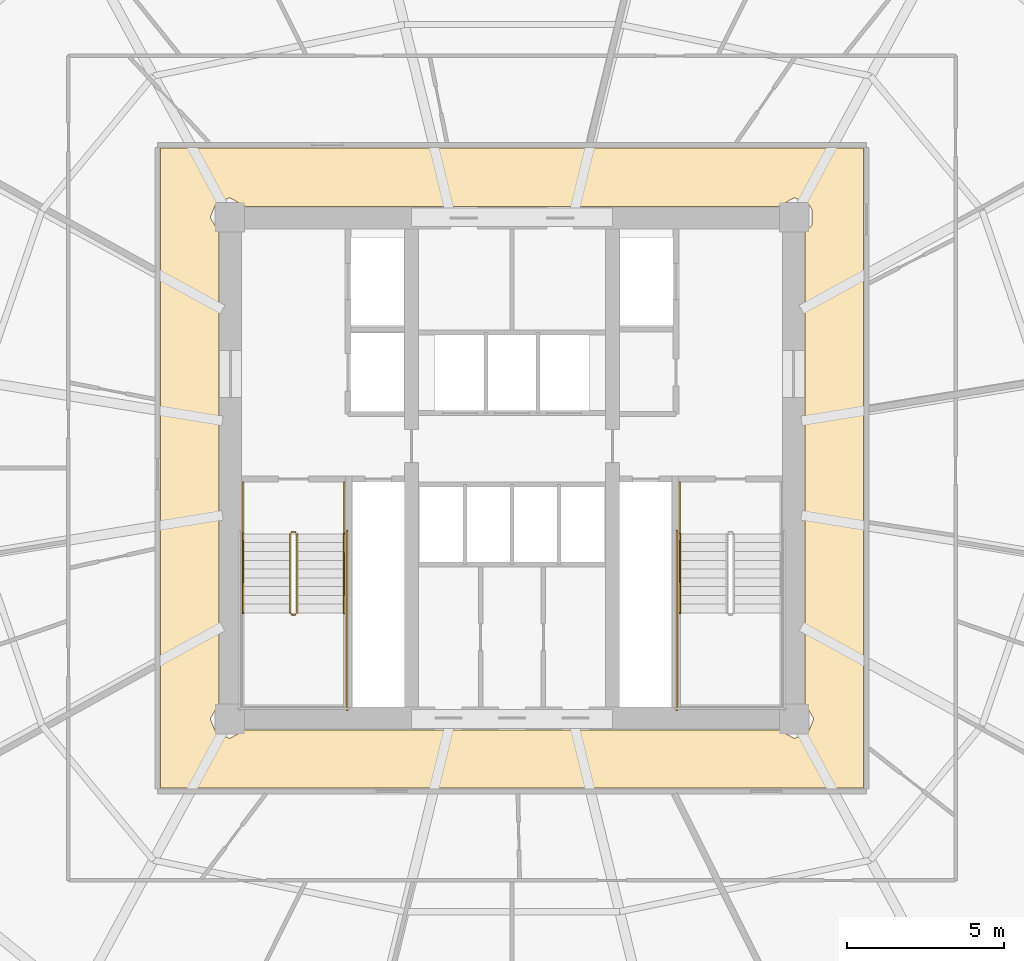
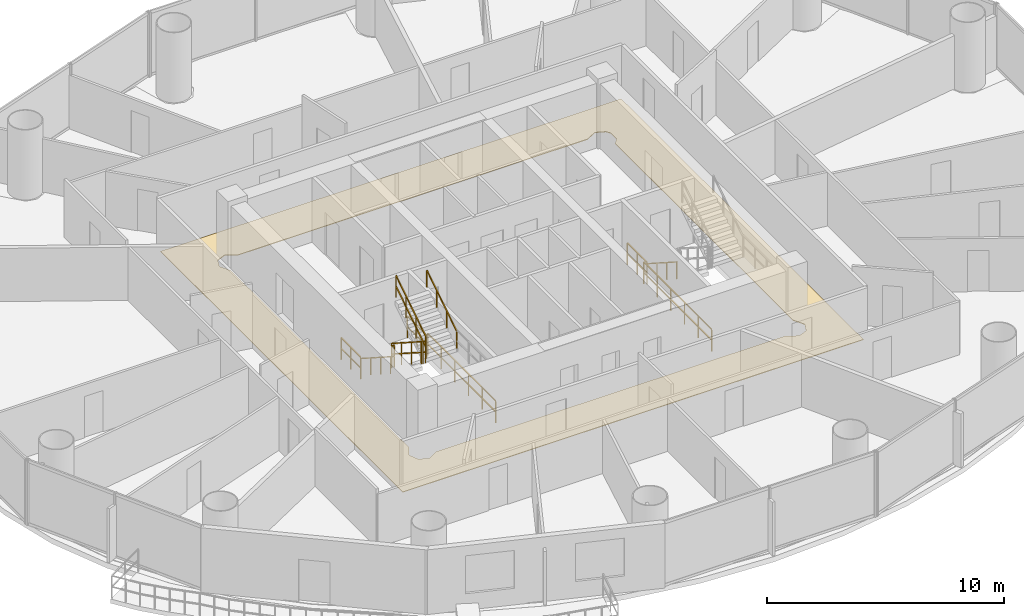
# One storey, part 26 of 28: 12 railings, 1 covering.
"""IFC4 building model written with IfcOpenShell, lengths in metres."""

from ifc_helpers import new_model, si_unit, direction, frame, origin, origin_2d, place, context, subcontext, project, spatial, polyline, rectangle, outline, extrude, material, layer, layer_set, type_object, element, save


model = new_model("IFC4")

# Units and contexts
model_context = context("Model", 3, precision=1e-05, world=origin(), true_north=direction((-0.2419218956, 0.970295726276)))
body_context = subcontext(model_context, "Body", "Model", "MODEL_VIEW")
ifc_project = project(units=[si_unit("LENGTHUNIT", "METRE"), si_unit("AREAUNIT", "SQUARE_METRE"), si_unit("VOLUMEUNIT", "CUBIC_METRE"), si_unit("PLANEANGLEUNIT", "RADIAN"), si_unit("MASSUNIT", "GRAM", prefix="KILO")], contexts=[model_context])

# Site, building, storey
site_placement = place(None, origin())
site = spatial("IfcSite", under=ifc_project, at=site_placement, CompositionType="ELEMENT")
building_placement = place(site_placement, origin())
building = spatial("IfcBuilding", under=site, at=building_placement, Name="Cobrevalo Terracotta Tower", CompositionType="ELEMENT")
storey_placement = place(building_placement, frame((0.0, 0.0, 105.0)))
storey = spatial("IfcBuildingStorey", under=building, at=storey_placement, Name="L27", CompositionType="ELEMENT", Elevation=105.0)

# Covering
ifc_material_1 = material(Name="Honed terracotta and granite tile", Category="masonry")
ifc_layer = layer(ifc_material_1, 0.034912109375)
ifc_layer_set = layer_set([ifc_layer], Name="Honed terracotta and granite tile")
covering_type = type_object("IfcCoveringType", Name="Honed Terracotta & Granite Interior Flooring 35", PredefinedType="FLOORING", material=ifc_layer_set)
covering_placement = place(storey_placement, origin())
element("IfcCovering", 1, at=covering_placement, inside=storey, type_object=covering_type, Name="L27 Residential Floor Corridor floor finish", PredefinedType="FLOORING", context=body_context, shape_type="SweptSolid", body=[
    extrude(outline(polyline([(49.205078125, 37.0048828125), (49.205078125, 16.594970703125), (26.794921875, 16.594970703125), (26.794921875, 37.0048828125), (49.205078125, 37.0048828125)]), holes=[polyline([(47.344970703125, 34.298828125), (47.5732421875, 34.5625), (47.5732421875, 35.037353515625), (47.438720703125, 35.23876953125), (47.0, 35.42041015625), (46.498779296875, 35.14501953125), (29.501220703125, 35.14501953125), (29.0, 35.42041015625), (28.561279296875, 35.23876953125), (28.379638671875, 34.800048828125), (28.655029296875, 34.298828125), (28.655029296875, 19.30126953125), (28.379638671875, 18.800048828125), (28.561279296875, 18.361328125), (29.0, 18.1796875), (29.501220703125, 18.455078125), (46.498779296875, 18.455078125), (47.0, 18.1796875), (47.438720703125, 18.361328125), (47.620361328125, 18.800048828125), (47.344970703125, 19.30126953125), (47.344970703125, 34.298828125)])]), origin(), (0.0, 0.0, 1.0), 0.030029296875),
])

# Railings
ifc_material_2 = material(Name="Brushed stainless steel", Category="steel")
railing_type_1 = type_object("IfcRailingType", Name="Stainless Steel Stair Handrail 900", PredefinedType="HANDRAIL", material=ifc_material_2)
railing_1_placement = place(storey_placement, frame((29.425048828125, 24.699951171875, 0.179931640625)))
element("IfcRailing", 2, at=railing_1_placement, inside=storey, type_object=railing_type_1, Name="L27 ST-1 stair handrail 1", PredefinedType="HANDRAIL", context=body_context, shape_type="SweptSolid", body=[
    extrude(rectangle(XDim=0.048095703125, YDim=0.048095703125, at=origin_2d()), frame((0.0, 0.0, 0.8759765625), z_axis=(0.0, -0.841162588446, 0.540782303519), x_axis=(1.0, 0.0, 0.0)), (0.0, 0.0, 1.0), 2.995849609375),
    extrude(rectangle(XDim=0.0419921875, YDim=0.0419921875, at=origin_2d()), origin(), (0.0, 0.0, 1.0), 0.851806640625),
    extrude(rectangle(XDim=0.0419921875, YDim=0.0419921875, at=origin_2d()), frame((0.0, -0.840087890625, 0.5400390625)), (0.0, 0.0, 1.0), 0.851806640625),
    extrude(rectangle(XDim=0.0419921875, YDim=0.0419921875, at=origin_2d()), frame((0.0, -1.679931640625, 1.080078125)), (0.0, 0.0, 1.0), 0.851806640625),
    extrude(rectangle(XDim=0.0419921875, YDim=0.0419921875, at=origin_2d()), frame((0.0, -2.52001953125, 1.6201171875)), (0.0, 0.0, 1.0), 0.851806640625),
])
railing_2_placement = place(storey_placement, frame((32.64501953125, 22.179931640625, 1.97998046875)))
element("IfcRailing", 3, at=railing_2_placement, inside=storey, type_object=railing_type_1, Name="L27 ST-1 stair handrail 2", PredefinedType="HANDRAIL", context=body_context, shape_type="SweptSolid", body=[
    extrude(rectangle(XDim=0.048095703125, YDim=0.048095703125, at=origin_2d()), frame((0.0, 0.0, 0.8759765625), z_axis=(0.0, 0.841162588446, 0.540782303519), x_axis=(-1.0, 0.0, 0.0)), (0.0, 0.0, 1.0), 2.995849609375),
    extrude(rectangle(XDim=0.0419921875, YDim=0.0419921875, at=origin_2d()), origin(), (0.0, 0.0, 1.0), 0.851806640625),
    extrude(rectangle(XDim=0.0419921875, YDim=0.0419921875, at=origin_2d()), frame((0.0, 0.840087890625, 0.5400390625)), (0.0, 0.0, 1.0), 0.851806640625),
    extrude(rectangle(XDim=0.0419921875, YDim=0.0419921875, at=origin_2d()), frame((0.0, 1.679931640625, 1.080078125)), (0.0, 0.0, 1.0), 0.851806640625),
    extrude(rectangle(XDim=0.0419921875, YDim=0.0419921875, at=origin_2d()), frame((0.0, 2.52001953125, 1.6201171875)), (0.0, 0.0, 1.0), 0.851806640625),
])
railing_3_placement = place(storey_placement, frame((43.35498046875, 24.699951171875, 0.179931640625)))
element("IfcRailing", 4, at=railing_3_placement, inside=storey, type_object=railing_type_1, Name="L27 ST-2 stair handrail 1", PredefinedType="HANDRAIL", context=body_context, shape_type="SweptSolid", body=[
    extrude(rectangle(XDim=0.048095703125, YDim=0.048095703125, at=origin_2d()), frame((0.0, 0.0, 0.8759765625), z_axis=(0.0, -0.841162588446, 0.540782303519), x_axis=(1.0, 0.0, 0.0)), (0.0, 0.0, 1.0), 2.995849609375),
    extrude(rectangle(XDim=0.0419921875, YDim=0.0419921875, at=origin_2d()), origin(), (0.0, 0.0, 1.0), 0.851806640625),
    extrude(rectangle(XDim=0.0419921875, YDim=0.0419921875, at=origin_2d()), frame((0.0, -0.840087890625, 0.5400390625)), (0.0, 0.0, 1.0), 0.851806640625),
    extrude(rectangle(XDim=0.0419921875, YDim=0.0419921875, at=origin_2d()), frame((0.0, -1.679931640625, 1.080078125)), (0.0, 0.0, 1.0), 0.851806640625),
    extrude(rectangle(XDim=0.0419921875, YDim=0.0419921875, at=origin_2d()), frame((0.0, -2.52001953125, 1.6201171875)), (0.0, 0.0, 1.0), 0.851806640625),
])
ifc_material_3 = material(Name="Painted galvanized steel", Category="steel")
railing_type_2 = type_object("IfcRailingType", Name="Stair Well Guard Balustrade 1150", PredefinedType="GUARDRAIL", material=ifc_material_3)
railing_4_placement = place(storey_placement, frame((30.925048828125, 24.699951171875, 0.179931640625)))
element("IfcRailing", 5, at=railing_4_placement, inside=storey, type_object=railing_type_2, Name="L27 ST-1 stair guard 1", PredefinedType="GUARDRAIL", context=body_context, shape_type="SweptSolid", body=[
    extrude(rectangle(XDim=0.048095703125, YDim=0.048095703125, at=origin_2d()), frame((0.0, 0.0, 1.1259765625), z_axis=(0.0, -0.841162588446, 0.540782303519), x_axis=(1.0, 0.0, 0.0)), (0.0, 0.0, 1.0), 2.995849609375),
    extrude(rectangle(XDim=0.048095703125, YDim=0.048095703125, at=origin_2d()), frame((0.0, 0.0, 0.574951171875), z_axis=(0.0, -0.841162588446, 0.540782303519), x_axis=(1.0, 0.0, 0.0)), (0.0, 0.0, 1.0), 2.995849609375),
    extrude(rectangle(XDim=0.0419921875, YDim=0.0419921875, at=origin_2d()), origin(), (0.0, 0.0, 1.0), 1.101806640625),
    extrude(rectangle(XDim=0.0419921875, YDim=0.0419921875, at=origin_2d()), frame((0.0, -0.840087890625, 0.5400390625)), (0.0, 0.0, 1.0), 1.101806640625),
    extrude(rectangle(XDim=0.0419921875, YDim=0.0419921875, at=origin_2d()), frame((0.0, -1.679931640625, 1.080078125)), (0.0, 0.0, 1.0), 1.101806640625),
    extrude(rectangle(XDim=0.0419921875, YDim=0.0419921875, at=origin_2d()), frame((0.0, -2.52001953125, 1.6201171875)), (0.0, 0.0, 1.0), 1.101806640625),
])
railing_5_placement = place(storey_placement, frame((30.97509765625, 22.1298828125, 1.800048828125)))
element("IfcRailing", 6, at=railing_5_placement, inside=storey, type_object=railing_type_2, Name="L27 ST-1 stair guard 2", PredefinedType="GUARDRAIL", context=body_context, shape_type="SweptSolid", body=[
    extrude(rectangle(XDim=0.048095703125, YDim=0.048095703125, at=origin_2d()), frame((0.0, 0.0, 1.1259765625), z_axis=(1.0, 0.0, 0.0), x_axis=(0.0, 1.0, 0.0)), (0.0, 0.0, 1.0), 0.119873046875),
    extrude(rectangle(XDim=0.048095703125, YDim=0.048095703125, at=origin_2d()), frame((0.0, 0.0, 0.574951171875), z_axis=(1.0, 0.0, 0.0), x_axis=(0.0, 1.0, 0.0)), (0.0, 0.0, 1.0), 0.119873046875),
    extrude(rectangle(XDim=0.0419921875, YDim=0.0419921875, at=origin_2d()), origin(), (0.0, 0.0, 1.0), 1.101806640625),
    extrude(rectangle(XDim=0.0419921875, YDim=0.0419921875, at=origin_2d()), frame((0.119873046875, 0.0, 0.0)), (0.0, 0.0, 1.0), 1.101806640625),
])
railing_6_placement = place(storey_placement, frame((31.14501953125, 22.179931640625, 1.97998046875)))
element("IfcRailing", 7, at=railing_6_placement, inside=storey, type_object=railing_type_2, Name="L27 ST-1 stair guard 6", PredefinedType="GUARDRAIL", context=body_context, shape_type="SweptSolid", body=[
    extrude(rectangle(XDim=0.048095703125, YDim=0.048095703125, at=origin_2d()), frame((0.0, 0.0, 1.1259765625), z_axis=(0.0, 0.841162588446, 0.540782303519), x_axis=(-1.0, 0.0, 0.0)), (0.0, 0.0, 1.0), 2.995849609375),
    extrude(rectangle(XDim=0.048095703125, YDim=0.048095703125, at=origin_2d()), frame((0.0, 0.0, 0.574951171875), z_axis=(0.0, 0.841162588446, 0.540782303519), x_axis=(-1.0, 0.0, 0.0)), (0.0, 0.0, 1.0), 2.995849609375),
    extrude(rectangle(XDim=0.0419921875, YDim=0.0419921875, at=origin_2d()), origin(), (0.0, 0.0, 1.0), 1.101806640625),
    extrude(rectangle(XDim=0.0419921875, YDim=0.0419921875, at=origin_2d()), frame((0.0, 0.840087890625, 0.5400390625)), (0.0, 0.0, 1.0), 1.101806640625),
    extrude(rectangle(XDim=0.0419921875, YDim=0.0419921875, at=origin_2d()), frame((0.0, 1.679931640625, 1.080078125)), (0.0, 0.0, 1.0), 1.101806640625),
    extrude(rectangle(XDim=0.0419921875, YDim=0.0419921875, at=origin_2d()), frame((0.0, 2.52001953125, 1.6201171875)), (0.0, 0.0, 1.0), 1.101806640625),
])
railing_7_placement = place(storey_placement, frame((30.97509765625, 24.75, 0.0)))
element("IfcRailing", 8, at=railing_7_placement, inside=storey, type_object=railing_type_2, Name="L27 ST-1 stair guard 7", PredefinedType="GUARDRAIL", context=body_context, shape_type="SweptSolid", body=[
    extrude(rectangle(XDim=0.048095703125, YDim=0.048095703125, at=origin_2d()), frame((0.0, 0.0, 1.1259765625), z_axis=(1.0, 0.0, 0.0), x_axis=(0.0, 1.0, 0.0)), (0.0, 0.0, 1.0), 0.119873046875),
    extrude(rectangle(XDim=0.048095703125, YDim=0.048095703125, at=origin_2d()), frame((0.0, 0.0, 0.574951171875), z_axis=(1.0, 0.0, 0.0), x_axis=(0.0, 1.0, 0.0)), (0.0, 0.0, 1.0), 0.119873046875),
    extrude(rectangle(XDim=0.0419921875, YDim=0.0419921875, at=origin_2d()), origin(), (0.0, 0.0, 1.0), 1.101806640625),
    extrude(rectangle(XDim=0.0419921875, YDim=0.0419921875, at=origin_2d()), frame((0.119873046875, 0.0, 0.0)), (0.0, 0.0, 1.0), 1.101806640625),
])
for number, where, name in (
    (9, (29.425048828125, 26.35009765625, 0.0), "L27 ST-1 stair guard 8"),
    (10, (32.64501953125, 26.35009765625, 0.0), "L27 ST-1 stair guard 9"),
):
    element("IfcRailing", number, at=place(storey_placement, frame(where)), inside=storey, type_object=railing_type_2, Name=name, PredefinedType="GUARDRAIL", context=body_context, shape_type="SweptSolid", body=[
        extrude(rectangle(XDim=0.048095703125, YDim=0.048095703125, at=origin_2d()), frame((0.0, 0.0, 1.1259765625), z_axis=(0.0, -1.0, 0.0), x_axis=(1.0, 0.0, 0.0)), (0.0, 0.0, 1.0), 1.650146484375),
        extrude(rectangle(XDim=0.048095703125, YDim=0.048095703125, at=origin_2d()), frame((0.0, 0.0, 0.574951171875), z_axis=(0.0, -1.0, 0.0), x_axis=(1.0, 0.0, 0.0)), (0.0, 0.0, 1.0), 1.650146484375),
        extrude(rectangle(XDim=0.0419921875, YDim=0.0419921875, at=origin_2d()), origin(), (0.0, 0.0, 1.0), 1.101806640625),
        extrude(rectangle(XDim=0.0419921875, YDim=0.0419921875, at=origin_2d()), frame((0.0, -0.8251953125, 0.0)), (0.0, 0.0, 1.0), 1.101806640625),
        extrude(rectangle(XDim=0.0419921875, YDim=0.0419921875, at=origin_2d()), frame((0.0, -1.650146484375, 0.0)), (0.0, 0.0, 1.0), 1.101806640625),
    ])
railing_8_placement = place(storey_placement, frame((32.7451171875, 24.800048828125, 0.0)))
element("IfcRailing", 11, at=railing_8_placement, inside=storey, type_object=railing_type_2, Name="L27 ST-1 stair guard 11", PredefinedType="GUARDRAIL", context=body_context, shape_type="SweptSolid", body=[
    extrude(rectangle(XDim=0.048095703125, YDim=0.048095703125, at=origin_2d()), frame((0.0, 0.0, 1.1259765625), z_axis=(0.0, -1.0, 0.0), x_axis=(1.0, 0.0, 0.0)), (0.0, 0.0, 1.0), 5.72509765625),
    extrude(rectangle(XDim=0.048095703125, YDim=0.048095703125, at=origin_2d()), frame((0.0, 0.0, 0.574951171875), z_axis=(0.0, -1.0, 0.0), x_axis=(1.0, 0.0, 0.0)), (0.0, 0.0, 1.0), 5.72509765625),
    extrude(rectangle(XDim=0.0419921875, YDim=0.0419921875, at=origin_2d()), origin(), (0.0, 0.0, 1.0), 1.101806640625),
    extrude(rectangle(XDim=0.0419921875, YDim=0.0419921875, at=origin_2d()), frame((0.0, -1.14501953125, 0.0)), (0.0, 0.0, 1.0), 1.101806640625),
    extrude(rectangle(XDim=0.0419921875, YDim=0.0419921875, at=origin_2d()), frame((0.0, -2.2900390625, 0.0)), (0.0, 0.0, 1.0), 1.101806640625),
    extrude(rectangle(XDim=0.0419921875, YDim=0.0419921875, at=origin_2d()), frame((0.0, -3.43505859375, 0.0)), (0.0, 0.0, 1.0), 1.101806640625),
    extrude(rectangle(XDim=0.0419921875, YDim=0.0419921875, at=origin_2d()), frame((0.0, -4.580078125, 0.0)), (0.0, 0.0, 1.0), 1.101806640625),
    extrude(rectangle(XDim=0.0419921875, YDim=0.0419921875, at=origin_2d()), frame((0.0, -5.72509765625, 0.0)), (0.0, 0.0, 1.0), 1.101806640625),
])
railing_9_placement = place(storey_placement, frame((43.35498046875, 26.35009765625, 0.0)))
element("IfcRailing", 12, at=railing_9_placement, inside=storey, type_object=railing_type_2, Name="L27 ST-2 stair guard 8", PredefinedType="GUARDRAIL", context=body_context, shape_type="SweptSolid", body=[
    extrude(rectangle(XDim=0.048095703125, YDim=0.048095703125, at=origin_2d()), frame((0.0, 0.0, 1.1259765625), z_axis=(0.0, -1.0, 0.0), x_axis=(1.0, 0.0, 0.0)), (0.0, 0.0, 1.0), 1.650146484375),
    extrude(rectangle(XDim=0.048095703125, YDim=0.048095703125, at=origin_2d()), frame((0.0, 0.0, 0.574951171875), z_axis=(0.0, -1.0, 0.0), x_axis=(1.0, 0.0, 0.0)), (0.0, 0.0, 1.0), 1.650146484375),
    extrude(rectangle(XDim=0.0419921875, YDim=0.0419921875, at=origin_2d()), origin(), (0.0, 0.0, 1.0), 1.101806640625),
    extrude(rectangle(XDim=0.0419921875, YDim=0.0419921875, at=origin_2d()), frame((0.0, -0.8251953125, 0.0)), (0.0, 0.0, 1.0), 1.101806640625),
    extrude(rectangle(XDim=0.0419921875, YDim=0.0419921875, at=origin_2d()), frame((0.0, -1.650146484375, 0.0)), (0.0, 0.0, 1.0), 1.101806640625),
])
railing_10_placement = place(storey_placement, frame((43.2548828125, 24.800048828125, 0.0)))
element("IfcRailing", 13, at=railing_10_placement, inside=storey, type_object=railing_type_2, Name="L27 ST-2 stair guard 10", PredefinedType="GUARDRAIL", context=body_context, shape_type="SweptSolid", body=[
    extrude(rectangle(XDim=0.048095703125, YDim=0.048095703125, at=origin_2d()), frame((0.0, 0.0, 1.1259765625), z_axis=(0.0, -1.0, 0.0), x_axis=(1.0, 0.0, 0.0)), (0.0, 0.0, 1.0), 5.72509765625),
    extrude(rectangle(XDim=0.048095703125, YDim=0.048095703125, at=origin_2d()), frame((0.0, 0.0, 0.574951171875), z_axis=(0.0, -1.0, 0.0), x_axis=(1.0, 0.0, 0.0)), (0.0, 0.0, 1.0), 5.72509765625),
    extrude(rectangle(XDim=0.0419921875, YDim=0.0419921875, at=origin_2d()), origin(), (0.0, 0.0, 1.0), 1.101806640625),
    extrude(rectangle(XDim=0.0419921875, YDim=0.0419921875, at=origin_2d()), frame((0.0, -1.14501953125, 0.0)), (0.0, 0.0, 1.0), 1.101806640625),
    extrude(rectangle(XDim=0.0419921875, YDim=0.0419921875, at=origin_2d()), frame((0.0, -2.2900390625, 0.0)), (0.0, 0.0, 1.0), 1.101806640625),
    extrude(rectangle(XDim=0.0419921875, YDim=0.0419921875, at=origin_2d()), frame((0.0, -3.43505859375, 0.0)), (0.0, 0.0, 1.0), 1.101806640625),
    extrude(rectangle(XDim=0.0419921875, YDim=0.0419921875, at=origin_2d()), frame((0.0, -4.580078125, 0.0)), (0.0, 0.0, 1.0), 1.101806640625),
    extrude(rectangle(XDim=0.0419921875, YDim=0.0419921875, at=origin_2d()), frame((0.0, -5.72509765625, 0.0)), (0.0, 0.0, 1.0), 1.101806640625),
])

save(model, "model.ifc")
